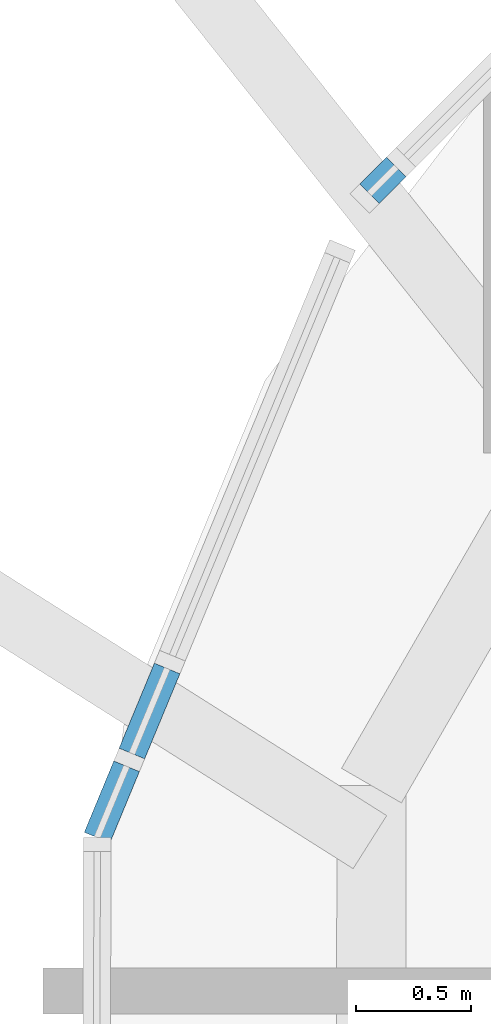
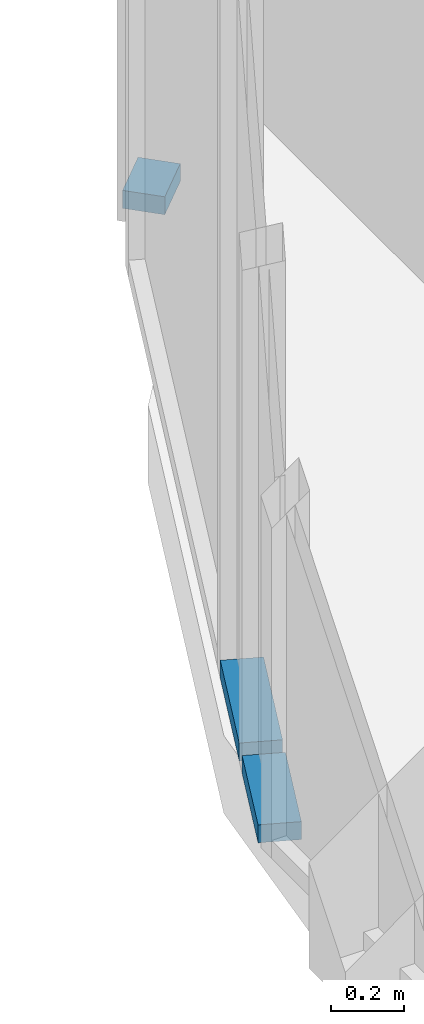
# One storey, part 17 of 36: 3 members, 3 elements without a shape of their own.
"""IFC4 building model written with IfcOpenShell, lengths in metres."""

from ifc_helpers import new_model, si_unit, direction, frame, origin, origin_2d, place, context, subcontext, project, spatial, rectangle, extrude, material, layer, layer_set, material_profile, profile_set, type_object, element, aggregate, save


model = new_model("IFC4")

# Units and contexts
model_context = context("Model", 3, precision=1e-05, world=origin(), true_north=direction((0.0, 1.0)))
body_context = subcontext(model_context, "Body", "Model", "MODEL_VIEW")
ifc_project = project(units=[si_unit("LENGTHUNIT", "METRE"), si_unit("AREAUNIT", "SQUARE_METRE"), si_unit("VOLUMEUNIT", "CUBIC_METRE"), si_unit("PLANEANGLEUNIT", "RADIAN"), si_unit("MASSUNIT", "GRAM", prefix="KILO")], contexts=[model_context])

# Site, building, storey
site_placement = place(None, origin())
site = spatial("IfcSite", under=ifc_project, at=site_placement, CompositionType="ELEMENT")
building_placement = place(site_placement, origin())
building = spatial("IfcBuilding", under=site, at=building_placement, Name="Marenta Gate Hotel Tower", CompositionType="ELEMENT")
storey_placement = place(building_placement, frame((0.0, 0.0, 115.699951171875)))
storey = spatial("IfcBuildingStorey", under=building, at=storey_placement, Name="L25", CompositionType="ELEMENT", Elevation=115.699951171875)

# Curtain wall, member
ifc_material_1 = material(Name="Tinted insulated glass in bronze anodised frame", Category="glass")
ifc_layer = layer(ifc_material_1, 0.1201171875)
ifc_layer_set = layer_set([ifc_layer], Name="Tinted insulated glass in bronze anodised frame")
curtain_wall_type = type_object("IfcCurtainWallType", Name="Tower unitised curtain wall CW1", PredefinedType="NOTDEFINED", material=ifc_layer_set)
curtain_wall_1_placement = place(storey_placement, origin())
curtain_wall_1 = element("IfcCurtainWall", 1, at=curtain_wall_1_placement, inside=storey, type_object=curtain_wall_type, Name="CW1 run G02", PredefinedType="NOTDEFINED")
ifc_material_2 = material(Name="Bronze anodised aluminium", Category="aluminium")
ifc_material_profile = material_profile(ifc_material_2, rectangle(XDim=0.1201171875, YDim=0.06005859375, at=origin_2d()), Name="Transom CW1 60x120 bronze anodised aluminium")
ifc_profile_set = profile_set([ifc_material_profile], Name="Bronze anodised aluminium")
member_type = type_object("IfcMemberType", Name="Transom CW1 60x120 bronze anodised aluminium", PredefinedType="USERDEFINED", material=ifc_profile_set)
member_1_placement = place(storey_placement, frame((-26.013671875, 25.977294921875, 0.030029296875), z_axis=(-0.706364412476, -0.707848371325, 0.0), x_axis=(0.707848371325, -0.706364412476, 0.0)))
member_1 = element("IfcMember", 2, at=member_1_placement, type_object=member_type, Name="CW1 transom 1.1", ObjectType="TRANSOM", PredefinedType="USERDEFINED", context=body_context, shape_type="SweptSolid", body=[
    extrude(rectangle(XDim=0.1201171875, YDim=0.06005859375, at=origin_2d()), origin(), (0.0, 0.0, 1.0), 0.16455078125),
])
aggregate(curtain_wall_1, [member_1])

curtain_wall_2_placement = place(storey_placement, origin())
curtain_wall_2 = element("IfcCurtainWall", 3, at=curtain_wall_2_placement, inside=storey, type_object=curtain_wall_type, Name="CW1 run G04", PredefinedType="NOTDEFINED")
member_2_placement = place(storey_placement, frame((-27.00830078125, 23.80029296875, 0.030029296875), z_axis=(-0.382837108959, -0.923815862607, 0.0), x_axis=(0.923815862607, -0.382837108959, 0.0)))
member_2 = element("IfcMember", 4, at=member_2_placement, type_object=member_type, Name="CW1 transom 1.1", ObjectType="TRANSOM", PredefinedType="USERDEFINED", context=body_context, shape_type="SweptSolid", body=[
    extrude(rectangle(XDim=0.1201171875, YDim=0.06005859375, at=origin_2d()), origin(), (0.0, 0.0, 1.0), 0.39990234375),
])
aggregate(curtain_wall_2, [member_2])

curtain_wall_3_placement = place(storey_placement, origin())
curtain_wall_3 = element("IfcCurtainWall", 5, at=curtain_wall_3_placement, inside=storey, type_object=curtain_wall_type, Name="CW1 run G05", PredefinedType="NOTDEFINED")
member_3_placement = place(storey_placement, frame((-27.184326171875, 23.37548828125, 0.030029296875), z_axis=(-0.382179999859, -0.924087900423, 0.0), x_axis=(0.924087900423, -0.382179999859, 0.0)))
member_3 = element("IfcMember", 6, at=member_3_placement, type_object=member_type, Name="CW1 transom 1.1", ObjectType="TRANSOM", PredefinedType="USERDEFINED", context=body_context, shape_type="SweptSolid", body=[
    extrude(rectangle(XDim=0.1201171875, YDim=0.06005859375, at=origin_2d()), origin(), (0.0, 0.0, 1.0), 0.334716796875),
])
aggregate(curtain_wall_3, [member_3])

save(model, "model.ifc")
